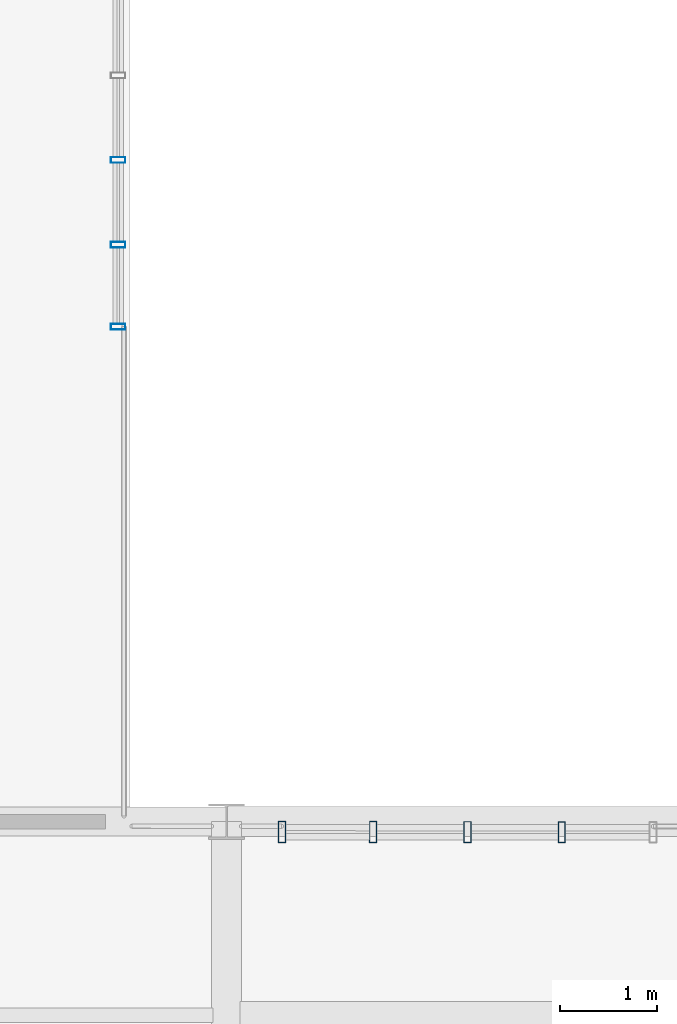
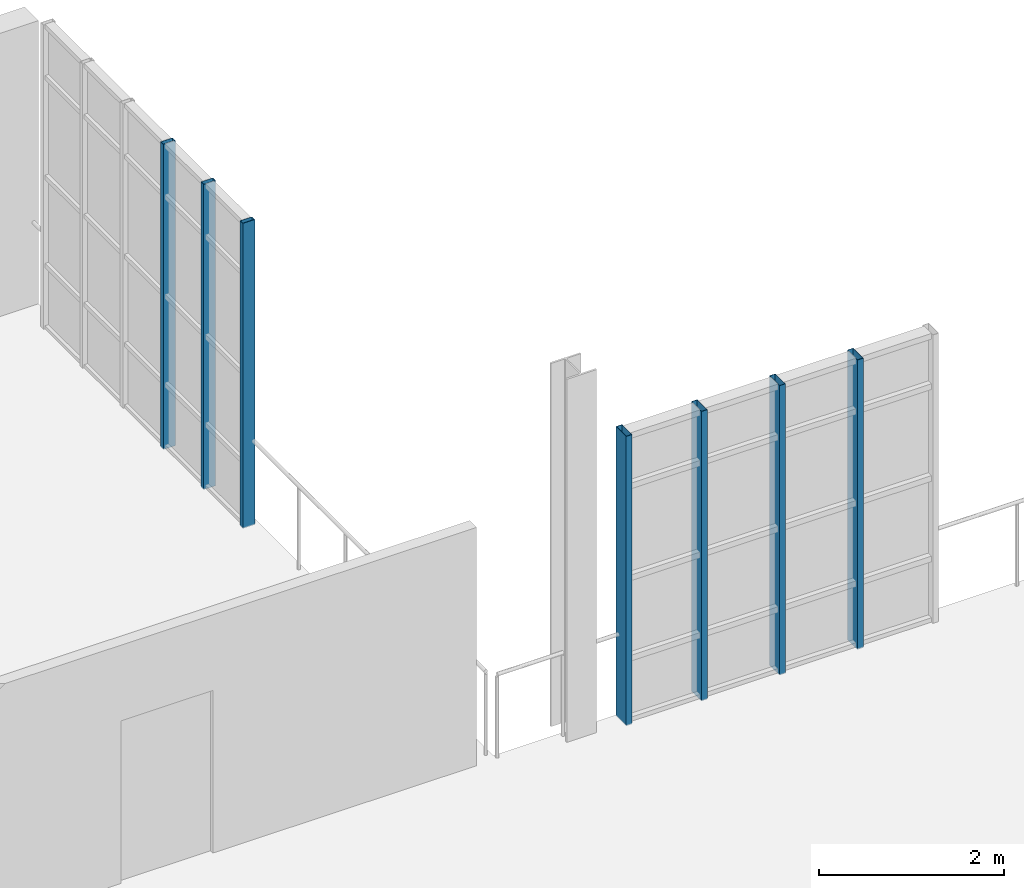
# One storey, part 40 of 122: 7 members, 2 elements without a shape of their own.
"""IFC4 building model written with IfcOpenShell, lengths in metres."""

import ifcopenshell
import ifcopenshell.guid

model = None  # the IFC model being written
_history = None  # IfcOwnerHistory: only IFC2X3 demands one
_inside = {}  # id of a spatial element -> (the spatial element, [elements in it])
_under = {}  # id of a project, library or spatial element -> (it, [spatial elements below it])
_declared = {}  # id of a project -> (the project, [libraries it declares])
_typed = {}  # id of a type object -> (the type object, [elements of that type])
_made_of = {}  # id of a material, layer set ... -> (it, [elements and type objects made of it])


def new_model(schema):
    """Start an empty IFC model of exactly this schema.

    Asked for "IFC4X3", IfcOpenShell would pick the latest addendum, in which some entities
    have other attributes; the version numbers below select the first issue.
    IFC2X3 requires an IfcOwnerHistory on every rooted entity: one is made here for all.
    """
    global model, _history
    if schema == "IFC4X3":
        model = ifcopenshell.file(schema_version=(4, 3, 0, 0))
    else:
        model = ifcopenshell.file(schema=schema)
    _inside.clear()
    _under.clear()
    _declared.clear()
    _typed.clear()
    _made_of.clear()
    _history = None
    if model.schema == "IFC2X3":
        org = make("IfcOrganization", Name="unknown")
        user = make(
            "IfcPersonAndOrganization",
            ThePerson=make("IfcPerson", FamilyName="unknown"),
            TheOrganization=org,
        )
        app = make(
            "IfcApplication",
            ApplicationDeveloper=org,
            Version="unknown",
            ApplicationFullName="unknown",
            ApplicationIdentifier="unknown",
        )
        _history = make(
            "IfcOwnerHistory",
            OwningUser=user,
            OwningApplication=app,
            ChangeAction="ADDED",
            CreationDate=0,
        )
    return model


def make(cls, **values):
    """One entity of the class cls with the attributes given. An attribute that is None is left unset."""
    return model.create_entity(
        cls, **{name: value for name, value in values.items() if value is not None}
    )


def rooted(cls, **values):
    """An entity with a GlobalId (a new one), such as an element, a storey or a relation."""
    return make(cls, GlobalId=ifcopenshell.guid.new(), OwnerHistory=_history, **values)


def si_unit(unit_type, name, prefix=None):
    """IfcSIUnit, for example si_unit("LENGTHUNIT", "METRE", prefix="MILLI")."""
    return make("IfcSIUnit", UnitType=unit_type, Prefix=prefix, Name=name)


def assignment(units):
    """IfcUnitAssignment: the units of a project."""
    return None if units is None else make("IfcUnitAssignment", Units=units)


def point(xyz):
    """IfcCartesianPoint."""
    return None if xyz is None else make("IfcCartesianPoint", Coordinates=xyz)


def direction(xyz):
    """IfcDirection."""
    return None if xyz is None else make("IfcDirection", DirectionRatios=xyz)


def frame(location, z_axis=None, x_axis=None):
    """IfcAxis2Placement3D, a coordinate frame: its origin and axes. An axis left out is left unset."""
    return make(
        "IfcAxis2Placement3D",
        Location=point(location),
        Axis=direction(z_axis),
        RefDirection=direction(x_axis),
    )


def frame_2d(location, x_axis=None):
    """IfcAxis2Placement2D, a coordinate frame in the plane: its origin and x axis."""
    return make(
        "IfcAxis2Placement2D", Location=point(location), RefDirection=direction(x_axis)
    )


def origin():
    """The frame at (0, 0, 0) with its axes left unset."""
    return frame((0.0, 0.0, 0.0))


def origin_2d():
    """The frame at (0, 0) in the plane with its x axis left unset."""
    return frame_2d((0.0, 0.0))


def place(relative_to, where):
    """IfcLocalPlacement: puts the frame where relative to a parent placement (None: the world)."""
    return make(
        "IfcLocalPlacement", PlacementRelTo=relative_to, RelativePlacement=where
    )


def context(
    kind, dimensions, precision=None, world=None, true_north=None, identifier=None
):
    """IfcGeometricRepresentationContext, for example the 3D "Model" context."""
    return make(
        "IfcGeometricRepresentationContext",
        ContextIdentifier=identifier,
        ContextType=kind,
        CoordinateSpaceDimension=dimensions,
        Precision=precision,
        WorldCoordinateSystem=world,
        TrueNorth=true_north,
    )


def subcontext(parent, identifier, kind, view, scale=None):
    """IfcGeometricRepresentationSubContext, for example "Body" below "Model"."""
    return make(
        "IfcGeometricRepresentationSubContext",
        ContextIdentifier=identifier,
        ContextType=kind,
        ParentContext=parent,
        TargetScale=scale,
        TargetView=view,
    )


def project(units=None, contexts=None):
    """IfcProject with its units and contexts."""
    return rooted(
        "IfcProject",
        Name="project",
        RepresentationContexts=contexts,
        UnitsInContext=assignment(units),
    )


def spatial(cls, under=None, at=None, **own):
    """A site, building, storey or space (cls), placed at a placement, below another one or the project."""
    s = rooted(cls, ObjectPlacement=at, **own)
    if under is not None:
        _under.setdefault(under.id(), (under, []))[1].append(s)
    return s


def profile(cls, at=None, kind="AREA", **sizes):
    """A parametric profile (cls). Its sizes go by their IFC names, for example OverallWidth=200.0."""
    return make(cls, ProfileType=kind, Position=at, **sizes)


def hollow_rectangle(**sizes):
    """IfcRectangleHollowProfileDef."""
    return profile("IfcRectangleHollowProfileDef", **sizes)


def extrude(swept, where, along, depth):
    """IfcExtrudedAreaSolid: the profile swept, set in the frame where, extruded along a direction by depth."""
    return make(
        "IfcExtrudedAreaSolid",
        SweptArea=swept,
        Position=where,
        ExtrudedDirection=direction(along),
        Depth=depth,
    )


def shape(context_of_items, identifier, shape_type, items):
    """IfcShapeRepresentation: the items that make up one representation, for example the "Body"."""
    return make(
        "IfcShapeRepresentation",
        ContextOfItems=context_of_items,
        RepresentationIdentifier=identifier,
        RepresentationType=shape_type,
        Items=items,
    )


def material(Name=None, Category=None):
    """IfcMaterial."""
    return make("IfcMaterial", Name=Name, Category=Category)


def layer(
    of_material, thickness, ventilated=None, Name=None, Category=None, Priority=None
):
    """IfcMaterialLayer: one layer of a wall or slab, of a material (None: an air gap)."""
    return make(
        "IfcMaterialLayer",
        Material=of_material,
        LayerThickness=thickness,
        IsVentilated=ventilated,
        Name=Name,
        Category=Category,
        Priority=Priority,
    )


def layer_set(layers, Name=None):
    """IfcMaterialLayerSet."""
    return make("IfcMaterialLayerSet", MaterialLayers=layers, LayerSetName=Name)


def material_profile(
    of_material, cross_section, Name=None, Category=None, Priority=None
):
    """IfcMaterialProfile: a cross section and its material."""
    return make(
        "IfcMaterialProfile",
        Name=Name,
        Material=of_material,
        Profile=cross_section,
        Priority=Priority,
        Category=Category,
    )


def profile_set(profiles, Name=None, composite=None):
    """IfcMaterialProfileSet."""
    return make(
        "IfcMaterialProfileSet",
        Name=Name,
        MaterialProfiles=profiles,
        CompositeProfile=composite,
    )


def made_of(thing, what):
    """Note that an element or type object is made of a material, layer set ...; save() writes the relation."""
    if what is not None:
        _made_of.setdefault(what.id(), (what, []))[1].append(thing)
    return thing


def type_object(cls, material=None, **own):
    """A type object (cls), such as IfcWallType, which elements share."""
    return made_of(rooted(cls, **own), material)


def element(
    cls,
    number,
    at=None,
    inside=None,
    cuts=None,
    type_object=None,
    material=None,
    context=None,
    identifier="Body",
    shape_type=None,
    held_by="IfcProductDefinitionShape",
    body=None,
    shapes=None,
    **own,
):
    """One element of the class cls, such as IfcWall. Its Tag is "e" and its number.

    at: its placement. inside: the storey or other place that contains it. cuts: it is an
    opening in that element (IfcRelVoidsElement). A single representation is given by context,
    identifier, shape_type and body (its items); several are given by shapes. held_by: the class
    of the entity that holds the representations. save() writes the other relations.
    """
    e = rooted(cls, Tag="e%d" % number, ObjectPlacement=at, **own)
    if body is not None:
        shapes = [shape(context, identifier, shape_type, body)]
    if shapes is not None:
        e.Representation = make(held_by, Representations=shapes)
    if inside is not None:
        _inside.setdefault(inside.id(), (inside, []))[1].append(e)
    if cuts is not None:
        rooted(
            "IfcRelVoidsElement", RelatingBuildingElement=cuts, RelatedOpeningElement=e
        )
    if type_object is not None:
        _typed.setdefault(type_object.id(), (type_object, []))[1].append(e)
    return made_of(e, material)


def aggregate(whole, parts):
    """IfcRelAggregates: a whole, such as a stair, and the parts it consists of."""
    return rooted("IfcRelAggregates", RelatingObject=whole, RelatedObjects=parts)


def save(model, path):
    """Write the relations noted so far, then the file.

    IfcRelAggregates (storeys below a building ...), IfcRelContainedInSpatialStructure (elements
    in a storey), IfcRelDefinesByType, IfcRelAssociatesMaterial and IfcRelDeclares: one each for
    every whole, place, type object, material and project.
    """
    for whole, parts in _under.values():
        aggregate(whole, parts)
    for where, things in _inside.values():
        rooted(
            "IfcRelContainedInSpatialStructure",
            RelatedElements=things,
            RelatingStructure=where,
        )
    for kind, things in _typed.values():
        rooted("IfcRelDefinesByType", RelatedObjects=things, RelatingType=kind)
    for what, things in _made_of.values():
        rooted("IfcRelAssociatesMaterial", RelatedObjects=things, RelatingMaterial=what)
    for by, libraries in _declared.values():
        rooted("IfcRelDeclares", RelatingContext=by, RelatedDefinitions=libraries)
    model.write(path)


model = new_model("IFC4")

# Units and contexts
model_context = context("Model", 3, precision=1e-05, world=origin(), true_north=direction((0.0, 1.0)))
body_context = subcontext(model_context, "Body", "Model", "MODEL_VIEW")
ifc_project = project(units=[si_unit("LENGTHUNIT", "METRE"), si_unit("AREAUNIT", "SQUARE_METRE"), si_unit("VOLUMEUNIT", "CUBIC_METRE"), si_unit("PLANEANGLEUNIT", "RADIAN"), si_unit("MASSUNIT", "GRAM", prefix="KILO"), si_unit("THERMODYNAMICTEMPERATUREUNIT", "KELVIN"), si_unit("POWERUNIT", "WATT")], contexts=[model_context])

# Site, building, storey
site_placement = place(None, origin())
site = spatial("IfcSite", under=ifc_project, at=site_placement, CompositionType="ELEMENT")
building_placement = place(site_placement, origin())
building = spatial("IfcBuilding", under=site, at=building_placement, Name="Zelmaris Science Centre", CompositionType="ELEMENT")
storey_placement = place(building_placement, frame((0.0, 0.0, 10.800048828125)))
storey = spatial("IfcBuildingStorey", under=building, at=storey_placement, Name="L02", CompositionType="ELEMENT", Elevation=10.800048828125)

# Curtain wall, members
ifc_material = material(Name="Anodised architectural aluminium 6063-T6", Category="aluminium")
ifc_layer_1 = layer(ifc_material, 0.219970703125, Name="Anodised architectural aluminium 6063-T6")
ifc_layer_set_1 = layer_set([ifc_layer_1], Name="Anodised architectural aluminium 6063-T6")
curtain_wall_type_1 = type_object("IfcCurtainWallType", Name="Curtain Wall CW-04", PredefinedType="USERDEFINED", material=ifc_layer_set_1)
curtain_wall_1_placement = place(storey_placement, origin())
curtain_wall_1 = element("IfcCurtainWall", 1, at=curtain_wall_1_placement, inside=storey, type_object=curtain_wall_type_1, Name="L02 Unitised curtain wall 216", ObjectType="GLAZED CURTAIN WALL", PredefinedType="USERDEFINED")
ifc_material_profile_1 = material_profile(ifc_material, hollow_rectangle(XDim=0.06005859375, YDim=0.14990234375, WallThickness=0.00341796875, at=origin_2d()), Name="ALU-MUL-60X150")
ifc_profile_set_1 = profile_set([ifc_material_profile_1], Name="Anodised architectural aluminium 6063-T6")
member_type_1 = type_object("IfcMemberType", Name="ALU-MUL-60X150", PredefinedType="MULLION", material=ifc_profile_set_1)
member_1_placement = place(storey_placement, frame((115.8798828125, 62.837890625, -0.01513671875), z_axis=(0.0, 0.0, 1.0), x_axis=(6.981317e-06, -0.999999999976, 0.0)))
member_1 = element("IfcMember", 2, at=member_1_placement, type_object=member_type_1, Name="CW-04 mullion 4", PredefinedType="MULLION", context=body_context, shape_type="SweptSolid", body=[
    extrude(hollow_rectangle(XDim=0.06005859375, YDim=0.14990234375, WallThickness=0.00341796875, at=origin_2d()), origin(), (0.0, 0.0, 1.0), 4.03515625),
])
member_2_placement = place(storey_placement, frame((115.8798828125, 61.9638671875, -0.01513671875), z_axis=(0.0, 0.0, 1.0), x_axis=(6.981317e-06, -0.999999999976, 0.0)))
member_2 = element("IfcMember", 3, at=member_2_placement, type_object=member_type_1, Name="CW-04 mullion 5", PredefinedType="MULLION", context=body_context, shape_type="SweptSolid", body=[
    extrude(hollow_rectangle(XDim=0.06005859375, YDim=0.14990234375, WallThickness=0.00341796875, at=origin_2d()), origin(), (0.0, 0.0, 1.0), 4.03515625),
])
member_3_placement = place(storey_placement, frame((115.8798828125, 61.115966796875, -0.01513671875), z_axis=(0.0, 0.0, 1.0), x_axis=(6.981317e-06, -0.999999999976, 0.0)))
member_3 = element("IfcMember", 4, at=member_3_placement, type_object=member_type_1, Name="CW-04 mullion 6", PredefinedType="MULLION", context=body_context, shape_type="SweptSolid", body=[
    extrude(hollow_rectangle(XDim=0.06005859375, YDim=0.14990234375, WallThickness=0.00341796875, at=origin_2d()), origin(), (0.0, 0.0, 1.0), 4.03515625),
])
aggregate(curtain_wall_1, [member_1, member_2, member_3])

ifc_layer_2 = layer(ifc_material, 0.199951171875, Name="Anodised architectural aluminium 6063-T6")
ifc_layer_set_2 = layer_set([ifc_layer_2], Name="Anodised architectural aluminium 6063-T6")
curtain_wall_type_2 = type_object("IfcCurtainWallType", Name="Curtain Wall CW-02", PredefinedType="USERDEFINED", material=ifc_layer_set_2)
curtain_wall_2_placement = place(storey_placement, origin())
curtain_wall_2 = element("IfcCurtainWall", 5, at=curtain_wall_2_placement, inside=storey, type_object=curtain_wall_type_2, Name="L02 Unitised curtain wall 218", ObjectType="GLAZED CURTAIN WALL", PredefinedType="USERDEFINED")
ifc_material_profile_2 = material_profile(ifc_material, hollow_rectangle(XDim=0.074951171875, YDim=0.219970703125, WallThickness=0.0048828125, at=origin_2d()), Name="ALU-MUL-75X220")
ifc_profile_set_2 = profile_set([ifc_material_profile_2], Name="Anodised architectural aluminium 6063-T6")
member_type_2 = type_object("IfcMemberType", Name="ALU-MUL-75X220", PredefinedType="MULLION", material=ifc_profile_set_2)
member_4_placement = place(storey_placement, frame((117.573486328125, 55.892822265625, -0.01513671875), z_axis=(0.0, 0.0, 1.0), x_axis=(0.99999988059, -0.000488692171, 0.0)))
member_4 = element("IfcMember", 6, at=member_4_placement, type_object=member_type_2, Name="CW-02 mullion 1", PredefinedType="MULLION", context=body_context, shape_type="SweptSolid", body=[
    extrude(hollow_rectangle(XDim=0.074951171875, YDim=0.219970703125, WallThickness=0.0048828125, at=origin_2d()), origin(), (0.0, 0.0, 1.0), 3.8271484375),
])
member_5_placement = place(storey_placement, frame((118.514892578125, 55.892333984375, -0.01513671875), z_axis=(0.0, 0.0, 1.0), x_axis=(0.99999988059, -0.000488692171, 0.0)))
member_5 = element("IfcMember", 7, at=member_5_placement, type_object=member_type_2, Name="CW-02 mullion 2", PredefinedType="MULLION", context=body_context, shape_type="SweptSolid", body=[
    extrude(hollow_rectangle(XDim=0.074951171875, YDim=0.219970703125, WallThickness=0.0048828125, at=origin_2d()), origin(), (0.0, 0.0, 1.0), 3.8271484375),
])
member_6_placement = place(storey_placement, frame((119.489990234375, 55.891845703125, -0.01513671875), z_axis=(0.0, 0.0, 1.0), x_axis=(0.99999988059, -0.000488692171, 0.0)))
member_6 = element("IfcMember", 8, at=member_6_placement, type_object=member_type_2, Name="CW-02 mullion 3", PredefinedType="MULLION", context=body_context, shape_type="SweptSolid", body=[
    extrude(hollow_rectangle(XDim=0.074951171875, YDim=0.219970703125, WallThickness=0.0048828125, at=origin_2d()), origin(), (0.0, 0.0, 1.0), 3.8271484375),
])
member_7_placement = place(storey_placement, frame((120.46484375, 55.891357421875, -0.01513671875), z_axis=(0.0, 0.0, 1.0), x_axis=(0.99999988059, -0.000488692171, 0.0)))
member_7 = element("IfcMember", 9, at=member_7_placement, type_object=member_type_2, Name="CW-02 mullion 4", PredefinedType="MULLION", context=body_context, shape_type="SweptSolid", body=[
    extrude(hollow_rectangle(XDim=0.074951171875, YDim=0.219970703125, WallThickness=0.0048828125, at=origin_2d()), origin(), (0.0, 0.0, 1.0), 3.8271484375),
])
aggregate(curtain_wall_2, [member_4, member_5, member_6, member_7])

save(model, "model.ifc")
